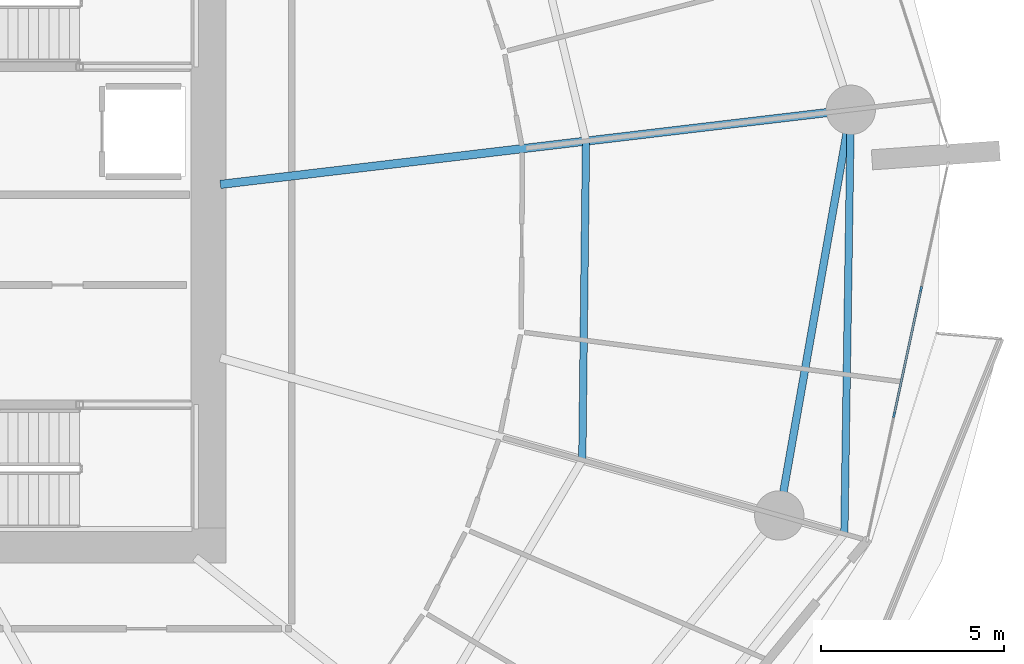
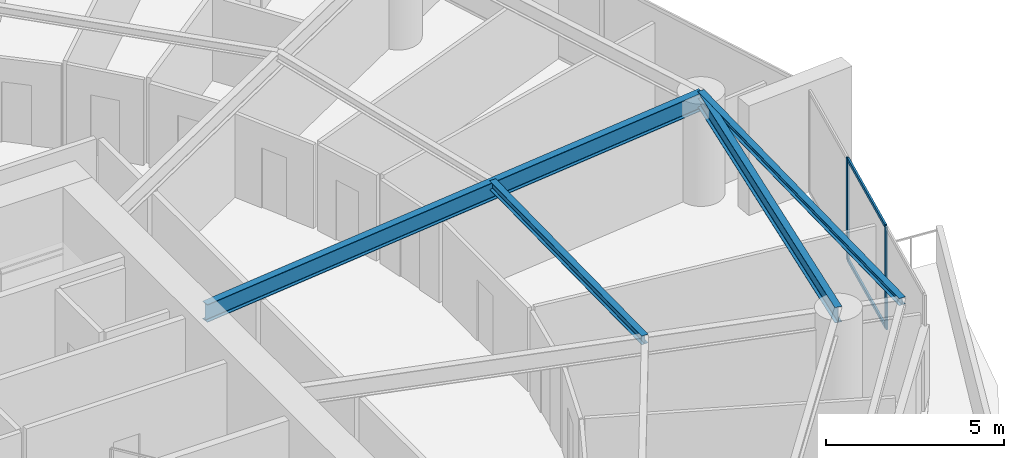
# One storey, part 11 of 31: 4 beams, 4 members, 1 element without a shape of its own.
"""IFC4 building model written with IfcOpenShell, lengths in metres."""

from ifc_helpers import new_model, si_unit, direction, frame, origin, origin_2d, place, context, subcontext, project, spatial, rectangle, i_section, extrude, material, layer, layer_set, material_profile, profile_set, type_object, element, aggregate, save


model = new_model("IFC4")

# Units and contexts
model_context = context("Model", 3, precision=1e-05, world=origin(), true_north=direction((0.0, 1.0)))
body_context = subcontext(model_context, "Body", "Model", "MODEL_VIEW")
ifc_project = project(units=[si_unit("LENGTHUNIT", "METRE"), si_unit("AREAUNIT", "SQUARE_METRE"), si_unit("VOLUMEUNIT", "CUBIC_METRE"), si_unit("PLANEANGLEUNIT", "RADIAN"), si_unit("MASSUNIT", "GRAM", prefix="KILO")], contexts=[model_context])

# Site, building, storey
site_placement = place(None, origin())
site = spatial("IfcSite", under=ifc_project, at=site_placement, CompositionType="ELEMENT")
building_placement = place(site_placement, origin())
building = spatial("IfcBuilding", under=site, at=building_placement, Name="Kazma Halo Residences", CompositionType="ELEMENT")
storey_placement = place(building_placement, frame((0.0, 0.0, 37.64990234375)))
storey = spatial("IfcBuildingStorey", under=building, at=storey_placement, Name="L08", CompositionType="ELEMENT", Elevation=37.64990234375)

# Beams
ifc_material_1 = material(Name="Steel S355", Category="steel")
ifc_material_profile_1 = material_profile(ifc_material_1, i_section(OverallWidth=0.201904296875, OverallDepth=0.2470703125, WebThickness=0.00732421875, FlangeThickness=0.010986328125, FilletRadius=0.011962890625, at=origin_2d()), Name="W250x49.1")
ifc_profile_set_1 = profile_set([ifc_material_profile_1], Name="Steel S355")
beam_type_1 = type_object("IfcBeamType", Name="BM-BAL-CANT", PredefinedType="BEAM", material=ifc_profile_set_1)
beam_1_placement = place(storey_placement, frame((76.92138671875, 33.84326171875, 3.376708984375), z_axis=(0.015213846033, 0.999884262747, 0.0), x_axis=(-0.999884262747, 0.015213846033, 0.0)))
element("IfcBeam", 1, at=beam_1_placement, inside=storey, type_object=beam_type_1, Name="L08 wave-balcony tie beam 15", PredefinedType="BEAM", context=body_context, shape_type="SweptSolid", body=[
    extrude(i_section(OverallWidth=0.201904296875, OverallDepth=0.2470703125, WebThickness=0.00732421875, FlangeThickness=0.010986328125, FilletRadius=0.011962890625, at=origin_2d()), origin(), (0.0, 0.0, 1.0), 11.602294921875),
])
ifc_material_profile_2 = material_profile(ifc_material_1, i_section(OverallWidth=0.22802734375, OverallDepth=0.60791015625, WebThickness=0.01123046875, FlangeThickness=0.017333984375, FilletRadius=0.01806640625, at=origin_2d()), Name="W610x113")
ifc_profile_set_2 = profile_set([ifc_material_profile_2], Name="Steel S355")
beam_type_2 = type_object("IfcBeamType", Name="BM-RAD-W610", PredefinedType="BEAM", material=ifc_profile_set_2)
beam_2_placement = place(storey_placement, frame((59.85009765625, 43.402587890625, 3.196044921875), z_axis=(0.993067839154, 0.117542617111, 0.0), x_axis=(-0.117542617111, 0.993067839154, 0.0)))
element("IfcBeam", 2, at=beam_2_placement, inside=storey, type_object=beam_type_2, Name="L08 radial floor beam 16", PredefinedType="BEAM", context=body_context, shape_type="SweptSolid", body=[
    extrude(i_section(OverallWidth=0.22802734375, OverallDepth=0.60791015625, WebThickness=0.01123046875, FlangeThickness=0.017333984375, FilletRadius=0.01806640625, at=origin_2d()), origin(), (0.0, 0.0, 1.0), 17.3681640625),
])
ifc_material_profile_3 = material_profile(ifc_material_1, i_section(OverallWidth=0.202880859375, OverallDepth=0.302978515625, WebThickness=0.007568359375, FlangeThickness=0.01318359375, FilletRadius=0.013916015625, at=origin_2d()), Name="W310x60")
ifc_profile_set_3 = profile_set([ifc_material_profile_3], Name="Steel S355")
beam_type_3 = type_object("IfcBeamType", Name="BM-SEC-W310A", PredefinedType="JOIST", material=ifc_profile_set_3)
beam_3_placement = place(storey_placement, frame((69.75146484375, 35.865478515625, 3.3486328125), z_axis=(0.011728659646, 0.999931216906, 0.0), x_axis=(-0.999931216906, 0.011728659646, 0.0)))
element("IfcBeam", 3, at=beam_3_placement, inside=storey, type_object=beam_type_3, Name="L08 circumferential floor joist 15", PredefinedType="JOIST", context=body_context, shape_type="SweptSolid", body=[
    extrude(i_section(OverallWidth=0.202880859375, OverallDepth=0.302978515625, WebThickness=0.007568359375, FlangeThickness=0.01318359375, FilletRadius=0.013916015625, at=origin_2d()), origin(), (0.0, 0.0, 1.0), 8.7216796875),
])
ifc_material_profile_4 = material_profile(ifc_material_1, i_section(OverallWidth=0.208984375, OverallDepth=0.532958984375, WebThickness=0.01025390625, FlangeThickness=0.015625, FilletRadius=0.01611328125, at=origin_2d()), Name="W530x92")
ifc_profile_set_4 = profile_set([ifc_material_profile_4], Name="Steel S355")
beam_type_4 = type_object("IfcBeamType", Name="BM-SPN-W530", PredefinedType="BEAM", material=ifc_profile_set_4)
beam_4_placement = place(storey_placement, frame((75.140869140625, 34.345458984375, 3.233642578125), z_axis=(0.173651864005, 0.984807103004, 0.0), x_axis=(-0.984807103004, 0.173651864005, 0.0)))
element("IfcBeam", 4, at=beam_4_placement, inside=storey, type_object=beam_type_4, Name="L08 perimeter ring beam 15", PredefinedType="BEAM", context=body_context, shape_type="SweptSolid", body=[
    extrude(i_section(OverallWidth=0.208984375, OverallDepth=0.532958984375, WebThickness=0.01025390625, FlangeThickness=0.015625, FilletRadius=0.01611328125, at=origin_2d()), origin(), (0.0, 0.0, 1.0), 11.269775390625),
])

# Curtain wall, members
ifc_material_2 = material(Name="Aluminium AW-6063 T6 and Triple-Silver Low-E Glass", Category="aluminium")
ifc_layer = layer(ifc_material_2, 0.159912109375)
ifc_layer_set = layer_set([ifc_layer], Name="Aluminium AW-6063 T6 and Triple-Silver Low-E Glass")
curtain_wall_type = type_object("IfcCurtainWallType", Name="CW-SYS-2", PredefinedType="NOTDEFINED", material=ifc_layer_set)
curtain_wall_placement = place(storey_placement, origin())
curtain_wall = element("IfcCurtainWall", 5, at=curtain_wall_placement, inside=storey, type_object=curtain_wall_type, Name="L08 unitised curtain wall B15", PredefinedType="NOTDEFINED")
ifc_material_3 = material(Name="Aluminium AW-6063 T6", Category="aluminium")
ifc_material_profile_5 = material_profile(ifc_material_3, rectangle(XDim=0.06005859375, YDim=0.159912109375, at=origin_2d()), Name="CWM-60x160")
ifc_profile_set_5 = profile_set([ifc_material_profile_5], Name="Aluminium AW-6063 T6")
member_type_1 = type_object("IfcMemberType", Name="CW-SYS-2-MUL", PredefinedType="MULLION", material=ifc_profile_set_5)
member_1_placement = place(storey_placement, frame((78.282958984375, 37.101318359375, 0.0), z_axis=(0.0, 0.0, 1.0), x_axis=(-0.977779215096, 0.209637321406, 0.0)))
member_1 = element("IfcMember", 6, at=member_1_placement, type_object=member_type_1, Name="CWS-2 mullion 2", PredefinedType="MULLION", context=body_context, shape_type="SweptSolid", body=[
    extrude(rectangle(XDim=0.06005859375, YDim=0.159912109375, at=origin_2d()), origin(), (0.0, 0.0, 1.0), 3.5),
])
member_2_placement = place(storey_placement, frame((79.019287109375, 40.53564453125, 0.0), z_axis=(0.0, 0.0, 1.0), x_axis=(-0.977779215096, 0.209637321406, 0.0)))
member_2 = element("IfcMember", 7, at=member_2_placement, type_object=member_type_1, Name="CWS-2 mullion 3", PredefinedType="MULLION", context=body_context, shape_type="SweptSolid", body=[
    extrude(rectangle(XDim=0.06005859375, YDim=0.159912109375, at=origin_2d()), origin(), (0.0, 0.0, 1.0), 3.5),
])
ifc_material_profile_6 = material_profile(ifc_material_3, rectangle(XDim=0.06005859375, YDim=0.1201171875, at=origin_2d()), Name="CWT-60x120")
ifc_profile_set_6 = profile_set([ifc_material_profile_6], Name="Aluminium AW-6063 T6")
member_type_2 = type_object("IfcMemberType", Name="CW-SYS-2-TRN", PredefinedType="USERDEFINED", material=ifc_profile_set_6)
member_3_placement = place(storey_placement, frame((78.289306640625, 37.130615234375, 0.030029296875), z_axis=(0.209669136217, 0.977772393412, 0.0), x_axis=(-0.977772393412, 0.209669136217, 0.0)))
member_3 = element("IfcMember", 8, at=member_3_placement, type_object=member_type_2, Name="CWS-2 transom 2.1", ObjectType="TRANSOM", PredefinedType="USERDEFINED", context=body_context, shape_type="SweptSolid", body=[
    extrude(rectangle(XDim=0.06005859375, YDim=0.1201171875, at=origin_2d()), origin(), (0.0, 0.0, 1.0), 3.452392578125),
])
member_4_placement = place(storey_placement, frame((78.289306640625, 37.130615234375, 3.47021484375), z_axis=(0.209669136217, 0.977772393412, 0.0), x_axis=(-0.977772393412, 0.209669136217, 0.0)))
member_4 = element("IfcMember", 9, at=member_4_placement, type_object=member_type_2, Name="CWS-2 transom 2.2", ObjectType="TRANSOM", PredefinedType="USERDEFINED", context=body_context, shape_type="SweptSolid", body=[
    extrude(rectangle(XDim=0.06005859375, YDim=0.1201171875, at=origin_2d()), origin(), (0.0, 0.0, 1.0), 3.452392578125),
])
aggregate(curtain_wall, [member_1, member_2, member_3, member_4])

save(model, "model.ifc")
